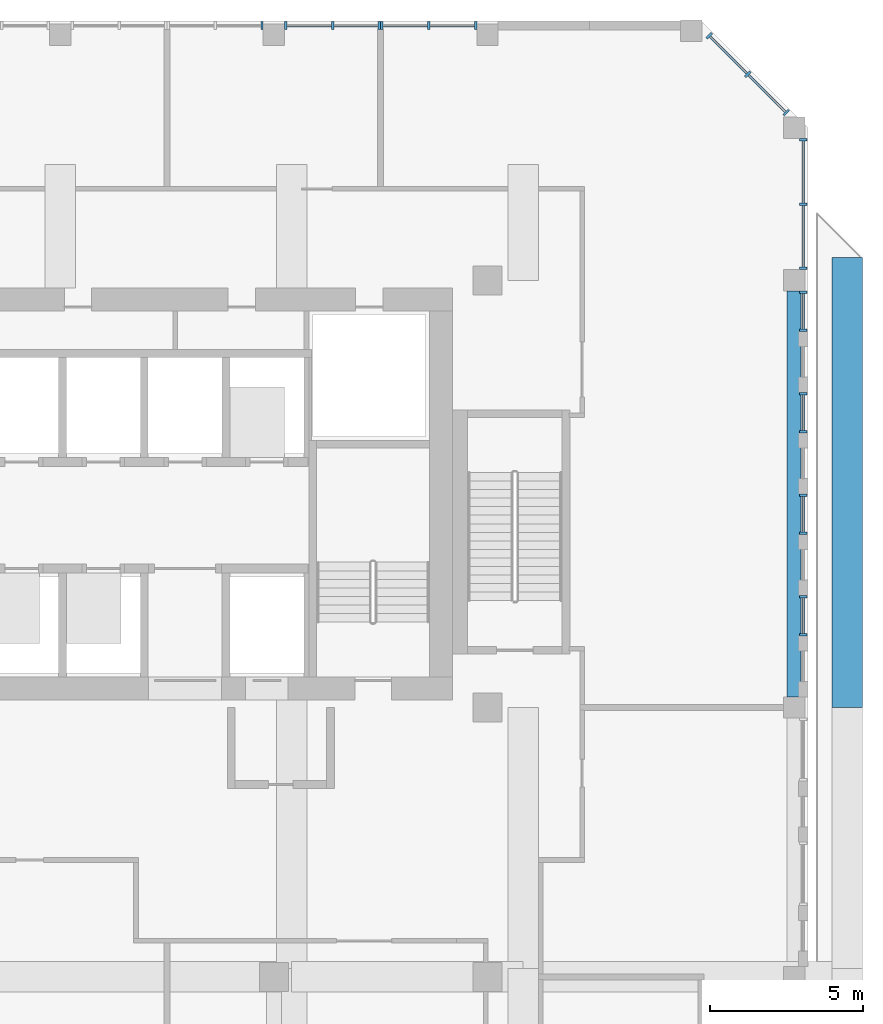
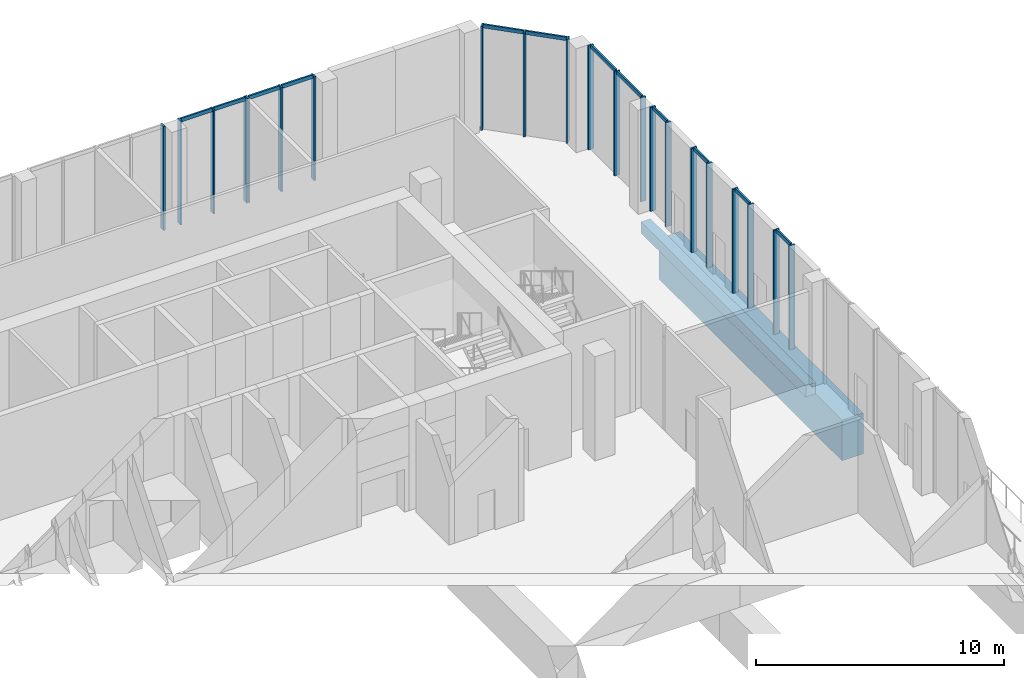
# One storey, part 6 of 18: 33 members, 2 beams, 9 elements without a shape of their own.
"""IFC4 building model written with IfcOpenShell, lengths in metres."""

from ifc_helpers import new_model, si_unit, direction, frame, origin, origin_2d, place, context, subcontext, project, spatial, rectangle, extrude, source, transform, mapped, material, material_profile, profile_set, type_object, element, aggregate, save


model = new_model("IFC4")

# Units and contexts
model_context = context("Model", 3, precision=1e-05, world=origin(), true_north=direction((0.0, 1.0)))
body_context = subcontext(model_context, "Body", "Model", "MODEL_VIEW")
ifc_project = project(units=[si_unit("LENGTHUNIT", "METRE"), si_unit("AREAUNIT", "SQUARE_METRE"), si_unit("VOLUMEUNIT", "CUBIC_METRE"), si_unit("PLANEANGLEUNIT", "RADIAN"), si_unit("MASSUNIT", "GRAM", prefix="KILO")], contexts=[model_context])

# Site, building, storey
site_placement = place(None, origin())
site = spatial("IfcSite", under=ifc_project, at=site_placement, CompositionType="ELEMENT")
building_placement = place(site_placement, origin())
building = spatial("IfcBuilding", under=site, at=building_placement, Name="Kilnfold Tower and Market Hall", CompositionType="ELEMENT")
storey_placement = place(building_placement, frame((0.0, 0.0, 233.60009765625)))
storey = spatial("IfcBuildingStorey", under=building, at=storey_placement, Name="L56", CompositionType="ELEMENT", Elevation=233.60009765625)

# Beams
ifc_material_1 = material(Name="Concrete C60", Category="concrete")
ifc_material_profile_1 = material_profile(ifc_material_1, rectangle(XDim=1.0, YDim=2.0, at=origin_2d()), Name="RC 1000x2000")
ifc_profile_set_1 = profile_set([ifc_material_profile_1], Name="Concrete C60")
beam_type_1 = type_object("IfcBeamType", Name="TRANSFER GIRDER 1000X2000 C60", PredefinedType="BEAM", material=ifc_profile_set_1)
shared_shape_1 = source(origin(), body_context, "Body", "SweptSolid", [
    extrude(rectangle(XDim=1.0, YDim=2.0, at=origin_2d()), origin(), (0.0, 0.0, 1.0), 14.75),
])
beam_1_placement = place(storey_placement, frame((30.800048828125, 8.0, -3.400146484375), z_axis=(0.0, 1.0, 0.0), x_axis=(-1.0, 0.0, 0.0)))
element("IfcBeam", 1, at=beam_1_placement, inside=storey, type_object=beam_type_1, Name="Beam TG2000-B7.28", PredefinedType="BEAM", context=body_context, shape_type="MappedRepresentation", body=[
    mapped(shared_shape_1, transform((0.0, 0.0, 0.0))),
])
ifc_material_2 = material(Name="Concrete C45", Category="concrete")
ifc_material_profile_2 = material_profile(ifc_material_2, rectangle(XDim=0.449951171875, YDim=0.550048828125, at=origin_2d()), Name="RC 450x550")
ifc_profile_set_2 = profile_set([ifc_material_profile_2], Name="Concrete C45")
beam_type_2 = type_object("IfcBeamType", Name="EDGE BEAM 450X550 C45", PredefinedType="BEAM", material=ifc_profile_set_2)
shared_shape_2 = source(origin(), body_context, "Body", "SweptSolid", [
    extrude(rectangle(XDim=0.449951171875, YDim=0.550048828125, at=origin_2d()), origin(), (0.0, 0.0, 1.0), 13.2998046875),
])
beam_2_placement = place(storey_placement, frame((29.050048828125, 8.35009765625, -0.675048828125), z_axis=(0.0, 1.0, 0.0), x_axis=(-1.0, 0.0, 0.0)))
element("IfcBeam", 2, at=beam_2_placement, inside=storey, type_object=beam_type_2, Name="Beam EB550-B7.58", PredefinedType="BEAM", context=body_context, shape_type="MappedRepresentation", body=[
    mapped(shared_shape_2, transform((0.0, 0.0, 0.0))),
])

# Curtain wall, members
ifc_material_3 = material(Name="Aluminium and double glazing", Category="aluminium")
curtain_wall_type = type_object("IfcCurtainWallType", Name="CW SKY LOBBY GLAZING", PredefinedType="NOTDEFINED", material=ifc_material_3)
curtain_wall_1_placement = place(storey_placement, origin())
curtain_wall_1 = element("IfcCurtainWall", 3, at=curtain_wall_1_placement, inside=storey, type_object=curtain_wall_type, Name="Curtain wall CW3 L56 E", PredefinedType="NOTDEFINED")
ifc_material_4 = material(Name="Aluminium", Category="aluminium")
ifc_material_profile_3 = material_profile(ifc_material_4, rectangle(XDim=0.080078125, YDim=0.25, at=origin_2d()), Name="MULLION 80x250")
ifc_profile_set_3 = profile_set([ifc_material_profile_3], Name="Aluminium")
member_type_1 = type_object("IfcMemberType", Name="MULLION 80X250", PredefinedType="MULLION", material=ifc_profile_set_3)
shared_shape_3 = source(origin(), body_context, "Body", "SweptSolid", [
    extrude(rectangle(XDim=0.080078125, YDim=0.25, at=origin_2d()), origin(), (0.0, 0.0, 1.0), 5.119873046875),
])
member_1_placement = place(storey_placement, frame((29.35009765625, 10.389892578125, 0.0), z_axis=(0.0, 0.0, 1.0), x_axis=(0.0, 1.0, 0.0)))
member_1 = element("IfcMember", 4, at=member_1_placement, type_object=member_type_1, Name="CW3 mullion 1", PredefinedType="MULLION", context=body_context, shape_type="MappedRepresentation", body=[
    mapped(shared_shape_3, transform((0.0, 0.0, 0.0))),
])
member_2_placement = place(storey_placement, frame((29.35009765625, 11.635009765625, 0.0), z_axis=(0.0, 0.0, 1.0), x_axis=(0.0, 1.0, 0.0)))
member_2 = element("IfcMember", 5, at=member_2_placement, type_object=member_type_1, Name="CW3 mullion 2", PredefinedType="MULLION", context=body_context, shape_type="MappedRepresentation", body=[
    mapped(shared_shape_3, transform((0.0, 0.0, 0.0))),
])

curtain_wall_2_placement = place(storey_placement, origin())
curtain_wall_2 = element("IfcCurtainWall", 6, at=curtain_wall_2_placement, inside=storey, type_object=curtain_wall_type, Name="Curtain wall CW3 L56 E", PredefinedType="NOTDEFINED")
member_3_placement = place(storey_placement, frame((29.35009765625, 13.715087890625, 0.0), z_axis=(0.0, 0.0, 1.0), x_axis=(0.0, 1.0, 0.0)))
member_3 = element("IfcMember", 7, at=member_3_placement, type_object=member_type_1, Name="CW3 mullion 1", PredefinedType="MULLION", context=body_context, shape_type="MappedRepresentation", body=[
    mapped(shared_shape_3, transform((0.0, 0.0, 0.0))),
])
member_4_placement = place(storey_placement, frame((29.35009765625, 14.9599609375, 0.0), z_axis=(0.0, 0.0, 1.0), x_axis=(0.0, 1.0, 0.0)))
member_4 = element("IfcMember", 8, at=member_4_placement, type_object=member_type_1, Name="CW3 mullion 2", PredefinedType="MULLION", context=body_context, shape_type="MappedRepresentation", body=[
    mapped(shared_shape_3, transform((0.0, 0.0, 0.0))),
])

curtain_wall_3_placement = place(storey_placement, origin())
curtain_wall_3 = element("IfcCurtainWall", 9, at=curtain_wall_3_placement, inside=storey, type_object=curtain_wall_type, Name="Curtain wall CW3 L56 E", PredefinedType="NOTDEFINED")
member_5_placement = place(storey_placement, frame((29.35009765625, 17.0400390625, 0.0), z_axis=(0.0, 0.0, 1.0), x_axis=(0.0, 1.0, 0.0)))
member_5 = element("IfcMember", 10, at=member_5_placement, type_object=member_type_1, Name="CW3 mullion 1", PredefinedType="MULLION", context=body_context, shape_type="MappedRepresentation", body=[
    mapped(shared_shape_3, transform((0.0, 0.0, 0.0))),
])
member_6_placement = place(storey_placement, frame((29.35009765625, 18.284912109375, 0.0), z_axis=(0.0, 0.0, 1.0), x_axis=(0.0, 1.0, 0.0)))
member_6 = element("IfcMember", 11, at=member_6_placement, type_object=member_type_1, Name="CW3 mullion 2", PredefinedType="MULLION", context=body_context, shape_type="MappedRepresentation", body=[
    mapped(shared_shape_3, transform((0.0, 0.0, 0.0))),
])

curtain_wall_4_placement = place(storey_placement, origin())
curtain_wall_4 = element("IfcCurtainWall", 12, at=curtain_wall_4_placement, inside=storey, type_object=curtain_wall_type, Name="Curtain wall CW3 L56 E", PredefinedType="NOTDEFINED")
member_7_placement = place(storey_placement, frame((29.35009765625, 20.364990234375, 0.0), z_axis=(0.0, 0.0, 1.0), x_axis=(0.0, 1.0, 0.0)))
member_7 = element("IfcMember", 13, at=member_7_placement, type_object=member_type_1, Name="CW3 mullion 1", PredefinedType="MULLION", context=body_context, shape_type="MappedRepresentation", body=[
    mapped(shared_shape_3, transform((0.0, 0.0, 0.0))),
])
member_8_placement = place(storey_placement, frame((29.35009765625, 21.610107421875, 0.0), z_axis=(0.0, 0.0, 1.0), x_axis=(0.0, 1.0, 0.0)))
member_8 = element("IfcMember", 14, at=member_8_placement, type_object=member_type_1, Name="CW3 mullion 2", PredefinedType="MULLION", context=body_context, shape_type="MappedRepresentation", body=[
    mapped(shared_shape_3, transform((0.0, 0.0, 0.0))),
])

curtain_wall_5_placement = place(storey_placement, origin())
curtain_wall_5 = element("IfcCurtainWall", 15, at=curtain_wall_5_placement, inside=storey, type_object=curtain_wall_type, Name="Curtain wall CW3 L56 E", PredefinedType="NOTDEFINED")
member_9_placement = place(storey_placement, frame((29.35009765625, 22.389892578125, 0.0), z_axis=(0.0, 0.0, 1.0), x_axis=(0.0, 1.0, 0.0)))
member_9 = element("IfcMember", 16, at=member_9_placement, type_object=member_type_1, Name="CW3 mullion 1", PredefinedType="MULLION", context=body_context, shape_type="MappedRepresentation", body=[
    mapped(shared_shape_3, transform((0.0, 0.0, 0.0))),
])
member_10_placement = place(storey_placement, frame((29.35009765625, 24.5, 0.0), z_axis=(0.0, 0.0, 1.0), x_axis=(0.0, 1.0, 0.0)))
member_10 = element("IfcMember", 17, at=member_10_placement, type_object=member_type_1, Name="CW3 mullion 2", PredefinedType="MULLION", context=body_context, shape_type="MappedRepresentation", body=[
    mapped(shared_shape_3, transform((0.0, 0.0, 0.0))),
])
member_11_placement = place(storey_placement, frame((29.35009765625, 26.610107421875, 0.0), z_axis=(0.0, 0.0, 1.0), x_axis=(0.0, 1.0, 0.0)))
member_11 = element("IfcMember", 18, at=member_11_placement, type_object=member_type_1, Name="CW3 mullion 3", PredefinedType="MULLION", context=body_context, shape_type="MappedRepresentation", body=[
    mapped(shared_shape_3, transform((0.0, 0.0, 0.0))),
])

curtain_wall_6_placement = place(storey_placement, origin())
curtain_wall_6 = element("IfcCurtainWall", 19, at=curtain_wall_6_placement, inside=storey, type_object=curtain_wall_type, Name="Curtain wall CW3 L56 NE", PredefinedType="NOTDEFINED")
member_12_placement = place(storey_placement, frame((28.79052734375, 27.497314453125, 0.0), z_axis=(0.0, 0.0, 1.0), x_axis=(-0.707106781187, 0.707106781187, 0.0)))
member_12 = element("IfcMember", 20, at=member_12_placement, type_object=member_type_1, Name="CW3 mullion 1", PredefinedType="MULLION", context=body_context, shape_type="MappedRepresentation", body=[
    mapped(shared_shape_3, transform((0.0, 0.0, 0.0))),
])
member_13_placement = place(storey_placement, frame((27.531494140625, 28.756591796875, 0.0), z_axis=(0.0, 0.0, 1.0), x_axis=(-0.707106781187, 0.707106781187, 0.0)))
member_13 = element("IfcMember", 21, at=member_13_placement, type_object=member_type_1, Name="CW3 mullion 2", PredefinedType="MULLION", context=body_context, shape_type="MappedRepresentation", body=[
    mapped(shared_shape_3, transform((0.0, 0.0, 0.0))),
])
member_14_placement = place(storey_placement, frame((26.272216796875, 30.015625, 0.0), z_axis=(0.0, 0.0, 1.0), x_axis=(-0.707106781187, 0.707106781187, 0.0)))
member_14 = element("IfcMember", 22, at=member_14_placement, type_object=member_type_1, Name="CW3 mullion 3", PredefinedType="MULLION", context=body_context, shape_type="MappedRepresentation", body=[
    mapped(shared_shape_3, transform((0.0, 0.0, 0.0))),
])

curtain_wall_7_placement = place(storey_placement, origin())
curtain_wall_7 = element("IfcCurtainWall", 23, at=curtain_wall_7_placement, inside=storey, type_object=curtain_wall_type, Name="Curtain wall CW3 L56 N", PredefinedType="NOTDEFINED")
member_15_placement = place(storey_placement, frame((18.610107421875, 30.35009765625, 0.0), z_axis=(0.0, 0.0, 1.0), x_axis=(-1.0, 0.0, 0.0)))
member_15 = element("IfcMember", 24, at=member_15_placement, type_object=member_type_1, Name="CW3 mullion 1", PredefinedType="MULLION", context=body_context, shape_type="MappedRepresentation", body=[
    mapped(shared_shape_3, transform((0.0, 0.0, 0.0))),
])
member_16_placement = place(storey_placement, frame((17.074951171875, 30.35009765625, 0.0), z_axis=(0.0, 0.0, 1.0), x_axis=(-1.0, 0.0, 0.0)))
member_16 = element("IfcMember", 25, at=member_16_placement, type_object=member_type_1, Name="CW3 mullion 2", PredefinedType="MULLION", context=body_context, shape_type="MappedRepresentation", body=[
    mapped(shared_shape_3, transform((0.0, 0.0, 0.0))),
])
member_17_placement = place(storey_placement, frame((15.5400390625, 30.35009765625, 0.0), z_axis=(0.0, 0.0, 1.0), x_axis=(-1.0, 0.0, 0.0)))
member_17 = element("IfcMember", 26, at=member_17_placement, type_object=member_type_1, Name="CW3 mullion 3", PredefinedType="MULLION", context=body_context, shape_type="MappedRepresentation", body=[
    mapped(shared_shape_3, transform((0.0, 0.0, 0.0))),
])

curtain_wall_8_placement = place(storey_placement, origin())
curtain_wall_8 = element("IfcCurtainWall", 27, at=curtain_wall_8_placement, inside=storey, type_object=curtain_wall_type, Name="Curtain wall CW3 L56 N", PredefinedType="NOTDEFINED")
member_18_placement = place(storey_placement, frame((15.4599609375, 30.35009765625, 0.0), z_axis=(0.0, 0.0, 1.0), x_axis=(-1.0, 0.0, 0.0)))
member_18 = element("IfcMember", 28, at=member_18_placement, type_object=member_type_1, Name="CW3 mullion 1", PredefinedType="MULLION", context=body_context, shape_type="MappedRepresentation", body=[
    mapped(shared_shape_3, transform((0.0, 0.0, 0.0))),
])
member_19_placement = place(storey_placement, frame((13.925048828125, 30.35009765625, 0.0), z_axis=(0.0, 0.0, 1.0), x_axis=(-1.0, 0.0, 0.0)))
member_19 = element("IfcMember", 29, at=member_19_placement, type_object=member_type_1, Name="CW3 mullion 2", PredefinedType="MULLION", context=body_context, shape_type="MappedRepresentation", body=[
    mapped(shared_shape_3, transform((0.0, 0.0, 0.0))),
])
member_20_placement = place(storey_placement, frame((12.389892578125, 30.35009765625, 0.0), z_axis=(0.0, 0.0, 1.0), x_axis=(-1.0, 0.0, 0.0)))
member_20 = element("IfcMember", 30, at=member_20_placement, type_object=member_type_1, Name="CW3 mullion 3", PredefinedType="MULLION", context=body_context, shape_type="MappedRepresentation", body=[
    mapped(shared_shape_3, transform((0.0, 0.0, 0.0))),
])

# Curtain wall, member
curtain_wall_9_placement = place(storey_placement, origin())
curtain_wall_9 = element("IfcCurtainWall", 31, at=curtain_wall_9_placement, inside=storey, type_object=curtain_wall_type, Name="Curtain wall CW3 L56 N", PredefinedType="NOTDEFINED")
member_21_placement = place(storey_placement, frame((11.610107421875, 30.35009765625, 0.0), z_axis=(0.0, 0.0, 1.0), x_axis=(-1.0, 0.0, 0.0)))
member_21 = element("IfcMember", 32, at=member_21_placement, type_object=member_type_1, Name="CW3 mullion 1", PredefinedType="MULLION", context=body_context, shape_type="MappedRepresentation", body=[
    mapped(shared_shape_3, transform((0.0, 0.0, 0.0))),
])
aggregate(curtain_wall_9, [member_21])

# Member
ifc_material_5 = material(Name="Aluminium", Category="aluminium")
ifc_material_profile_4 = material_profile(ifc_material_5, rectangle(XDim=0.080078125, YDim=0.179931640625, at=origin_2d()), Name="TRANSOM 80x180")
ifc_profile_set_4 = profile_set([ifc_material_profile_4], Name="Aluminium")
member_type_2 = type_object("IfcMemberType", Name="TRANSOM 80X180", PredefinedType="USERDEFINED", material=ifc_profile_set_4)
shared_shape_4 = source(origin(), body_context, "Body", "SweptSolid", [
    extrude(rectangle(XDim=0.080078125, YDim=0.179931640625, at=origin_2d()), origin(), (0.0, 0.0, 1.0), 1.1650390625),
])
member_22_placement = place(storey_placement, frame((29.35009765625, 10.429931640625, 5.079833984375), z_axis=(0.0, 1.0, 0.0), x_axis=(-1.0, 0.0, 0.0)))
member_22 = element("IfcMember", 33, at=member_22_placement, type_object=member_type_2, Name="CW3 transom 1.2", ObjectType="TRANSOM", PredefinedType="USERDEFINED", context=body_context, shape_type="MappedRepresentation", body=[
    mapped(shared_shape_4, transform((0.0, 0.0, 0.0))),
])

aggregate(curtain_wall_1, [member_1, member_2, member_22])

member_23_placement = place(storey_placement, frame((29.35009765625, 13.7548828125, 5.079833984375), z_axis=(0.0, 1.0, 0.0), x_axis=(-1.0, 0.0, 0.0)))
member_23 = element("IfcMember", 34, at=member_23_placement, type_object=member_type_2, Name="CW3 transom 1.2", ObjectType="TRANSOM", PredefinedType="USERDEFINED", context=body_context, shape_type="MappedRepresentation", body=[
    mapped(shared_shape_4, transform((0.0, 0.0, 0.0))),
])

aggregate(curtain_wall_2, [member_3, member_4, member_23])

member_24_placement = place(storey_placement, frame((29.35009765625, 17.080078125, 5.079833984375), z_axis=(0.0, 1.0, 0.0), x_axis=(-1.0, 0.0, 0.0)))
member_24 = element("IfcMember", 35, at=member_24_placement, type_object=member_type_2, Name="CW3 transom 1.2", ObjectType="TRANSOM", PredefinedType="USERDEFINED", context=body_context, shape_type="MappedRepresentation", body=[
    mapped(shared_shape_4, transform((0.0, 0.0, 0.0))),
])

aggregate(curtain_wall_3, [member_5, member_6, member_24])

member_25_placement = place(storey_placement, frame((29.35009765625, 20.405029296875, 5.079833984375), z_axis=(0.0, 1.0, 0.0), x_axis=(-1.0, 0.0, 0.0)))
member_25 = element("IfcMember", 36, at=member_25_placement, type_object=member_type_2, Name="CW3 transom 1.2", ObjectType="TRANSOM", PredefinedType="USERDEFINED", context=body_context, shape_type="MappedRepresentation", body=[
    mapped(shared_shape_4, transform((0.0, 0.0, 0.0))),
])

aggregate(curtain_wall_4, [member_7, member_8, member_25])

shared_shape_5 = source(origin(), body_context, "Body", "SweptSolid", [
    extrude(rectangle(XDim=0.080078125, YDim=0.179931640625, at=origin_2d()), origin(), (0.0, 0.0, 1.0), 2.030029296875),
])
member_26_placement = place(storey_placement, frame((29.35009765625, 22.429931640625, 5.079833984375), z_axis=(0.0, 1.0, 0.0), x_axis=(-1.0, 0.0, 0.0)))
member_26 = element("IfcMember", 37, at=member_26_placement, type_object=member_type_2, Name="CW3 transom 1.2", ObjectType="TRANSOM", PredefinedType="USERDEFINED", context=body_context, shape_type="MappedRepresentation", body=[
    mapped(shared_shape_5, transform((0.0, 0.0, 0.0))),
])

member_27_placement = place(storey_placement, frame((29.35009765625, 24.5400390625, 5.079833984375), z_axis=(0.0, 1.0, 0.0), x_axis=(-1.0, 0.0, 0.0)))
member_27 = element("IfcMember", 38, at=member_27_placement, type_object=member_type_2, Name="CW3 transom 2.2", ObjectType="TRANSOM", PredefinedType="USERDEFINED", context=body_context, shape_type="MappedRepresentation", body=[
    mapped(shared_shape_5, transform((0.0, 0.0, 0.0))),
])

aggregate(curtain_wall_5, [member_9, member_10, member_11, member_26, member_27])

shared_shape_6 = source(origin(), body_context, "Body", "SweptSolid", [
    extrude(rectangle(XDim=0.080078125, YDim=0.179931640625, at=origin_2d()), origin(), (0.0, 0.0, 1.0), 1.700927734375),
])
member_28_placement = place(storey_placement, frame((28.762451171875, 27.525634765625, 5.079833984375), z_axis=(-0.707178543177, 0.707035011912, 0.0), x_axis=(-0.707035011912, -0.707178543177, 0.0)))
member_28 = element("IfcMember", 39, at=member_28_placement, type_object=member_type_2, Name="CW3 transom 1.2", ObjectType="TRANSOM", PredefinedType="USERDEFINED", context=body_context, shape_type="MappedRepresentation", body=[
    mapped(shared_shape_6, transform((0.0, 0.0, 0.0))),
])

member_29_placement = place(storey_placement, frame((27.503173828125, 28.78466796875, 5.079833984375), z_axis=(-0.707035011912, 0.707178543177, 0.0), x_axis=(-0.707178543177, -0.707035011912, 0.0)))
member_29 = element("IfcMember", 40, at=member_29_placement, type_object=member_type_2, Name="CW3 transom 2.2", ObjectType="TRANSOM", PredefinedType="USERDEFINED", context=body_context, shape_type="MappedRepresentation", body=[
    mapped(shared_shape_6, transform((0.0, 0.0, 0.0))),
])

aggregate(curtain_wall_6, [member_12, member_13, member_14, member_28, member_29])

shared_shape_7 = source(origin(), body_context, "Body", "SweptSolid", [
    extrude(rectangle(XDim=0.080078125, YDim=0.179931640625, at=origin_2d()), origin(), (0.0, 0.0, 1.0), 1.455078125),
])
member_30_placement = place(storey_placement, frame((18.570068359375, 30.35009765625, 5.079833984375), z_axis=(-1.0, 0.0, 0.0), x_axis=(0.0, -1.0, 0.0)))
member_30 = element("IfcMember", 41, at=member_30_placement, type_object=member_type_2, Name="CW3 transom 1.2", ObjectType="TRANSOM", PredefinedType="USERDEFINED", context=body_context, shape_type="MappedRepresentation", body=[
    mapped(shared_shape_7, transform((0.0, 0.0, 0.0))),
])

member_31_placement = place(storey_placement, frame((13.885009765625, 30.35009765625, 5.079833984375), z_axis=(-1.0, 0.0, 0.0), x_axis=(0.0, -1.0, 0.0)))
member_31 = element("IfcMember", 42, at=member_31_placement, type_object=member_type_2, Name="CW3 transom 2.2", ObjectType="TRANSOM", PredefinedType="USERDEFINED", context=body_context, shape_type="MappedRepresentation", body=[
    mapped(shared_shape_7, transform((0.0, 0.0, 0.0))),
])

shared_shape_8 = source(origin(), body_context, "Body", "SweptSolid", [
    extrude(rectangle(XDim=0.080078125, YDim=0.179931640625, at=origin_2d()), origin(), (0.0, 0.0, 1.0), 1.454833984375),
])
member_32_placement = place(storey_placement, frame((17.034912109375, 30.35009765625, 5.079833984375), z_axis=(-1.0, 0.0, 0.0), x_axis=(0.0, -1.0, 0.0)))
member_32 = element("IfcMember", 43, at=member_32_placement, type_object=member_type_2, Name="CW3 transom 2.2", ObjectType="TRANSOM", PredefinedType="USERDEFINED", context=body_context, shape_type="MappedRepresentation", body=[
    mapped(shared_shape_8, transform((0.0, 0.0, 0.0))),
])

aggregate(curtain_wall_7, [member_15, member_16, member_17, member_30, member_32])

member_33_placement = place(storey_placement, frame((15.419921875, 30.35009765625, 5.079833984375), z_axis=(-1.0, 0.0, 0.0), x_axis=(0.0, -1.0, 0.0)))
member_33 = element("IfcMember", 44, at=member_33_placement, type_object=member_type_2, Name="CW3 transom 1.2", ObjectType="TRANSOM", PredefinedType="USERDEFINED", context=body_context, shape_type="MappedRepresentation", body=[
    mapped(shared_shape_8, transform((0.0, 0.0, 0.0))),
])

aggregate(curtain_wall_8, [member_18, member_19, member_20, member_33, member_31])

save(model, "model.ifc")
